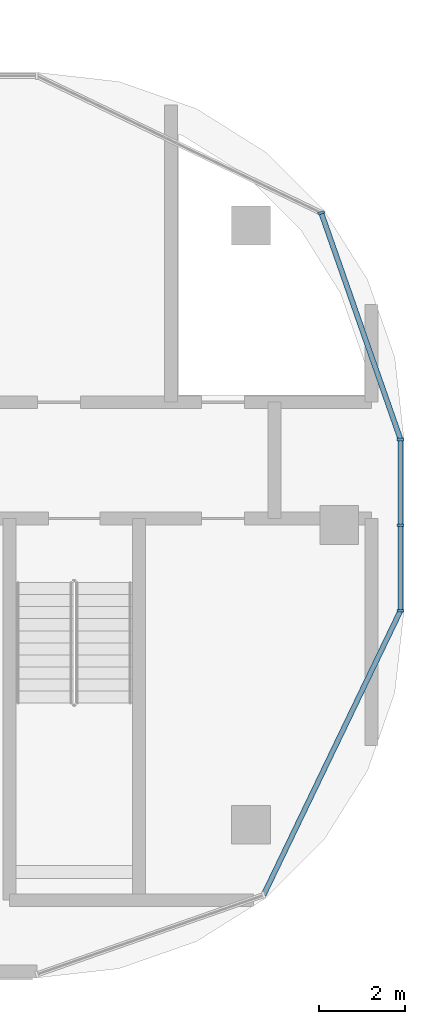
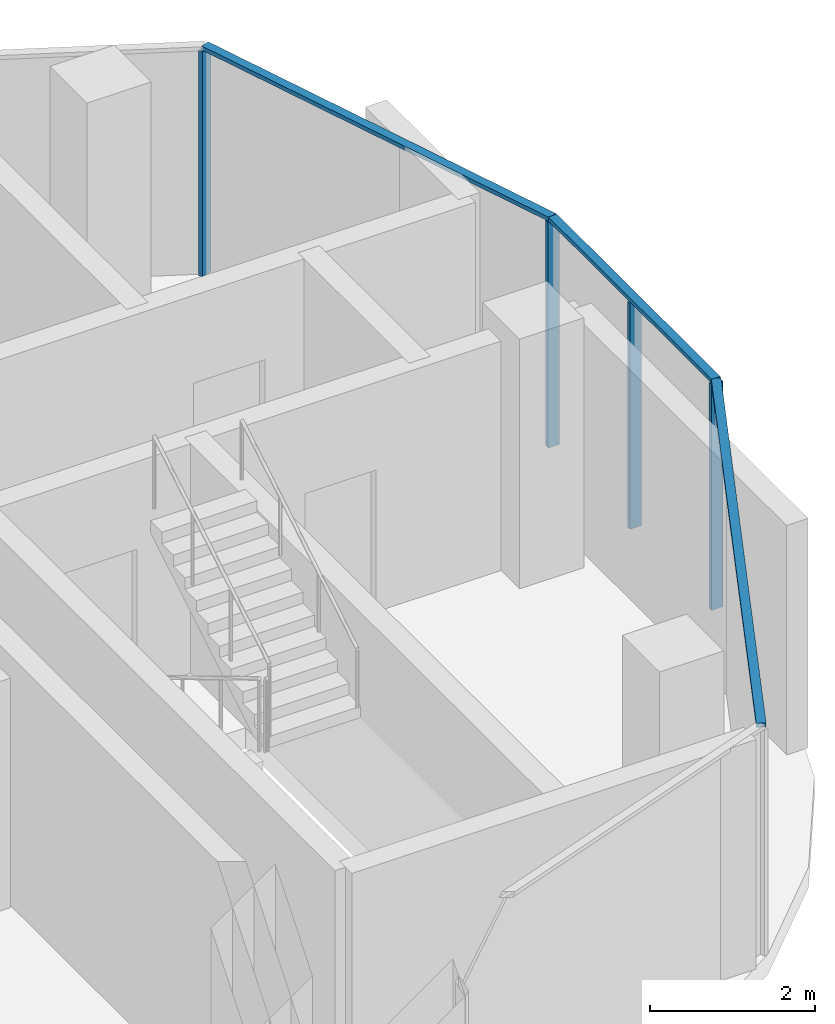
# One storey, part 7 of 19: 7 members, 3 elements without a shape of their own.
"""IFC4 building model written with IfcOpenShell, lengths in metres."""

import ifcopenshell
import ifcopenshell.guid

model = None  # the IFC model being written
_history = None  # IfcOwnerHistory: only IFC2X3 demands one
_inside = {}  # id of a spatial element -> (the spatial element, [elements in it])
_under = {}  # id of a project, library or spatial element -> (it, [spatial elements below it])
_declared = {}  # id of a project -> (the project, [libraries it declares])
_typed = {}  # id of a type object -> (the type object, [elements of that type])
_made_of = {}  # id of a material, layer set ... -> (it, [elements and type objects made of it])


def new_model(schema):
    """Start an empty IFC model of exactly this schema.

    Asked for "IFC4X3", IfcOpenShell would pick the latest addendum, in which some entities
    have other attributes; the version numbers below select the first issue.
    IFC2X3 requires an IfcOwnerHistory on every rooted entity: one is made here for all.
    """
    global model, _history
    if schema == "IFC4X3":
        model = ifcopenshell.file(schema_version=(4, 3, 0, 0))
    else:
        model = ifcopenshell.file(schema=schema)
    _inside.clear()
    _under.clear()
    _declared.clear()
    _typed.clear()
    _made_of.clear()
    _history = None
    if model.schema == "IFC2X3":
        org = make("IfcOrganization", Name="unknown")
        user = make(
            "IfcPersonAndOrganization",
            ThePerson=make("IfcPerson", FamilyName="unknown"),
            TheOrganization=org,
        )
        app = make(
            "IfcApplication",
            ApplicationDeveloper=org,
            Version="unknown",
            ApplicationFullName="unknown",
            ApplicationIdentifier="unknown",
        )
        _history = make(
            "IfcOwnerHistory",
            OwningUser=user,
            OwningApplication=app,
            ChangeAction="ADDED",
            CreationDate=0,
        )
    return model


def make(cls, **values):
    """One entity of the class cls with the attributes given. An attribute that is None is left unset."""
    return model.create_entity(
        cls, **{name: value for name, value in values.items() if value is not None}
    )


def rooted(cls, **values):
    """An entity with a GlobalId (a new one), such as an element, a storey or a relation."""
    return make(cls, GlobalId=ifcopenshell.guid.new(), OwnerHistory=_history, **values)


def si_unit(unit_type, name, prefix=None):
    """IfcSIUnit, for example si_unit("LENGTHUNIT", "METRE", prefix="MILLI")."""
    return make("IfcSIUnit", UnitType=unit_type, Prefix=prefix, Name=name)


def assignment(units):
    """IfcUnitAssignment: the units of a project."""
    return None if units is None else make("IfcUnitAssignment", Units=units)


def point(xyz):
    """IfcCartesianPoint."""
    return None if xyz is None else make("IfcCartesianPoint", Coordinates=xyz)


def direction(xyz):
    """IfcDirection."""
    return None if xyz is None else make("IfcDirection", DirectionRatios=xyz)


def frame(location, z_axis=None, x_axis=None):
    """IfcAxis2Placement3D, a coordinate frame: its origin and axes. An axis left out is left unset."""
    return make(
        "IfcAxis2Placement3D",
        Location=point(location),
        Axis=direction(z_axis),
        RefDirection=direction(x_axis),
    )


def frame_2d(location, x_axis=None):
    """IfcAxis2Placement2D, a coordinate frame in the plane: its origin and x axis."""
    return make(
        "IfcAxis2Placement2D", Location=point(location), RefDirection=direction(x_axis)
    )


def origin():
    """The frame at (0, 0, 0) with its axes left unset."""
    return frame((0.0, 0.0, 0.0))


def origin_2d():
    """The frame at (0, 0) in the plane with its x axis left unset."""
    return frame_2d((0.0, 0.0))


def place(relative_to, where):
    """IfcLocalPlacement: puts the frame where relative to a parent placement (None: the world)."""
    return make(
        "IfcLocalPlacement", PlacementRelTo=relative_to, RelativePlacement=where
    )


def context(
    kind, dimensions, precision=None, world=None, true_north=None, identifier=None
):
    """IfcGeometricRepresentationContext, for example the 3D "Model" context."""
    return make(
        "IfcGeometricRepresentationContext",
        ContextIdentifier=identifier,
        ContextType=kind,
        CoordinateSpaceDimension=dimensions,
        Precision=precision,
        WorldCoordinateSystem=world,
        TrueNorth=true_north,
    )


def subcontext(parent, identifier, kind, view, scale=None):
    """IfcGeometricRepresentationSubContext, for example "Body" below "Model"."""
    return make(
        "IfcGeometricRepresentationSubContext",
        ContextIdentifier=identifier,
        ContextType=kind,
        ParentContext=parent,
        TargetScale=scale,
        TargetView=view,
    )


def project(units=None, contexts=None):
    """IfcProject with its units and contexts."""
    return rooted(
        "IfcProject",
        Name="project",
        RepresentationContexts=contexts,
        UnitsInContext=assignment(units),
    )


def spatial(cls, under=None, at=None, **own):
    """A site, building, storey or space (cls), placed at a placement, below another one or the project."""
    s = rooted(cls, ObjectPlacement=at, **own)
    if under is not None:
        _under.setdefault(under.id(), (under, []))[1].append(s)
    return s


def profile(cls, at=None, kind="AREA", **sizes):
    """A parametric profile (cls). Its sizes go by their IFC names, for example OverallWidth=200.0."""
    return make(cls, ProfileType=kind, Position=at, **sizes)


def rectangle(**sizes):
    """IfcRectangleProfileDef."""
    return profile("IfcRectangleProfileDef", **sizes)


def extrude(swept, where, along, depth):
    """IfcExtrudedAreaSolid: the profile swept, set in the frame where, extruded along a direction by depth."""
    return make(
        "IfcExtrudedAreaSolid",
        SweptArea=swept,
        Position=where,
        ExtrudedDirection=direction(along),
        Depth=depth,
    )


def shape(context_of_items, identifier, shape_type, items):
    """IfcShapeRepresentation: the items that make up one representation, for example the "Body"."""
    return make(
        "IfcShapeRepresentation",
        ContextOfItems=context_of_items,
        RepresentationIdentifier=identifier,
        RepresentationType=shape_type,
        Items=items,
    )


def material(Name=None, Category=None):
    """IfcMaterial."""
    return make("IfcMaterial", Name=Name, Category=Category)


def material_profile(
    of_material, cross_section, Name=None, Category=None, Priority=None
):
    """IfcMaterialProfile: a cross section and its material."""
    return make(
        "IfcMaterialProfile",
        Name=Name,
        Material=of_material,
        Profile=cross_section,
        Priority=Priority,
        Category=Category,
    )


def profile_set(profiles, Name=None, composite=None):
    """IfcMaterialProfileSet."""
    return make(
        "IfcMaterialProfileSet",
        Name=Name,
        MaterialProfiles=profiles,
        CompositeProfile=composite,
    )


def made_of(thing, what):
    """Note that an element or type object is made of a material, layer set ...; save() writes the relation."""
    if what is not None:
        _made_of.setdefault(what.id(), (what, []))[1].append(thing)
    return thing


def type_object(cls, material=None, **own):
    """A type object (cls), such as IfcWallType, which elements share."""
    return made_of(rooted(cls, **own), material)


def element(
    cls,
    number,
    at=None,
    inside=None,
    cuts=None,
    type_object=None,
    material=None,
    context=None,
    identifier="Body",
    shape_type=None,
    held_by="IfcProductDefinitionShape",
    body=None,
    shapes=None,
    **own,
):
    """One element of the class cls, such as IfcWall. Its Tag is "e" and its number.

    at: its placement. inside: the storey or other place that contains it. cuts: it is an
    opening in that element (IfcRelVoidsElement). A single representation is given by context,
    identifier, shape_type and body (its items); several are given by shapes. held_by: the class
    of the entity that holds the representations. save() writes the other relations.
    """
    e = rooted(cls, Tag="e%d" % number, ObjectPlacement=at, **own)
    if body is not None:
        shapes = [shape(context, identifier, shape_type, body)]
    if shapes is not None:
        e.Representation = make(held_by, Representations=shapes)
    if inside is not None:
        _inside.setdefault(inside.id(), (inside, []))[1].append(e)
    if cuts is not None:
        rooted(
            "IfcRelVoidsElement", RelatingBuildingElement=cuts, RelatedOpeningElement=e
        )
    if type_object is not None:
        _typed.setdefault(type_object.id(), (type_object, []))[1].append(e)
    return made_of(e, material)


def aggregate(whole, parts):
    """IfcRelAggregates: a whole, such as a stair, and the parts it consists of."""
    return rooted("IfcRelAggregates", RelatingObject=whole, RelatedObjects=parts)


def save(model, path):
    """Write the relations noted so far, then the file.

    IfcRelAggregates (storeys below a building ...), IfcRelContainedInSpatialStructure (elements
    in a storey), IfcRelDefinesByType, IfcRelAssociatesMaterial and IfcRelDeclares: one each for
    every whole, place, type object, material and project.
    """
    for whole, parts in _under.values():
        aggregate(whole, parts)
    for where, things in _inside.values():
        rooted(
            "IfcRelContainedInSpatialStructure",
            RelatedElements=things,
            RelatingStructure=where,
        )
    for kind, things in _typed.values():
        rooted("IfcRelDefinesByType", RelatedObjects=things, RelatingType=kind)
    for what, things in _made_of.values():
        rooted("IfcRelAssociatesMaterial", RelatedObjects=things, RelatingMaterial=what)
    for by, libraries in _declared.values():
        rooted("IfcRelDeclares", RelatingContext=by, RelatedDefinitions=libraries)
    model.write(path)


model = new_model("IFC4")

# Units and contexts
model_context = context("Model", 3, precision=1e-05, world=origin(), true_north=direction((0.0, 1.0)))
body_context = subcontext(model_context, "Body", "Model", "MODEL_VIEW")
ifc_project = project(units=[si_unit("LENGTHUNIT", "METRE"), si_unit("AREAUNIT", "SQUARE_METRE"), si_unit("VOLUMEUNIT", "CUBIC_METRE"), si_unit("PLANEANGLEUNIT", "RADIAN"), si_unit("MASSUNIT", "GRAM", prefix="KILO")], contexts=[model_context])

# Site, building, storey
site_placement = place(None, origin())
site = spatial("IfcSite", under=ifc_project, at=site_placement, CompositionType="ELEMENT")
building_placement = place(site_placement, origin())
building = spatial("IfcBuilding", under=site, at=building_placement, Name="Ogive Portal Towers", CompositionType="ELEMENT")
storey_placement = place(building_placement, frame((0.0, 0.0, 229.10009765625)))
storey = spatial("IfcBuildingStorey", under=building, at=storey_placement, Name="L57", CompositionType="ELEMENT", Elevation=229.10009765625)

# Curtain wall, members
ifc_material_1 = material(Name="Glass, clear low-iron insulated glazing", Category="glass")
curtain_wall_type = type_object("IfcCurtainWallType", Name="CW FRONT RIBBON 4500", PredefinedType="NOTDEFINED", material=ifc_material_1)
curtain_wall_1_placement = place(storey_placement, origin())
curtain_wall_1 = element("IfcCurtainWall", 1, at=curtain_wall_1_placement, inside=storey, type_object=curtain_wall_type, Name="A:L57:f09:cw0", PredefinedType="NOTDEFINED")
ifc_material_2 = material(Name="Aluminium 6063 anodised", Category="aluminium")
ifc_material_profile_1 = material_profile(ifc_material_2, rectangle(XDim=0.159912109375, YDim=0.06005859375, at=origin_2d()), Name="AL 60x160")
ifc_profile_set_1 = profile_set([ifc_material_profile_1], Name="Aluminium 6063 anodised")
member_type_1 = type_object("IfcMemberType", Name="CW MULLION 60x160", PredefinedType="MULLION", material=ifc_profile_set_1)
member_1_placement = place(storey_placement, frame((95.919921875, 28.518310546875, 0.0), z_axis=(0.0, 0.0, 1.0), x_axis=(-1.0, 0.0, 0.0)))
member_1 = element("IfcMember", 2, at=member_1_placement, type_object=member_type_1, Name="mullion", PredefinedType="MULLION", context=body_context, shape_type="SweptSolid", body=[
    extrude(rectangle(XDim=0.159912109375, YDim=0.06005859375, at=origin_2d()), origin(), (0.0, 0.0, 1.0), 3.33984375),
])
member_2_placement = place(storey_placement, frame((95.919921875, 30.5, 0.0), z_axis=(0.0, 0.0, 1.0), x_axis=(-1.0, 0.0, 0.0)))
member_2 = element("IfcMember", 3, at=member_2_placement, type_object=member_type_1, Name="mullion", PredefinedType="MULLION", context=body_context, shape_type="SweptSolid", body=[
    extrude(rectangle(XDim=0.159912109375, YDim=0.06005859375, at=origin_2d()), origin(), (0.0, 0.0, 1.0), 3.33984375),
])
member_3_placement = place(storey_placement, frame((95.919921875, 32.486328125, 0.0), z_axis=(0.0, 0.0, 1.0), x_axis=(-1.0, 0.0, 0.0)))
member_3 = element("IfcMember", 4, at=member_3_placement, type_object=member_type_1, Name="mullion", PredefinedType="MULLION", context=body_context, shape_type="SweptSolid", body=[
    extrude(rectangle(XDim=0.159912109375, YDim=0.06005859375, at=origin_2d()), origin(), (0.0, 0.0, 1.0), 3.33984375),
])

# Curtain wall, member
curtain_wall_2_placement = place(storey_placement, origin())
curtain_wall_2 = element("IfcCurtainWall", 5, at=curtain_wall_2_placement, inside=storey, type_object=curtain_wall_type, Name="A:L57:f10:cwa", PredefinedType="NOTDEFINED")
member_4_placement = place(storey_placement, frame((94.0810546875, 37.741943359375, 0.0), z_axis=(0.0, 0.0, 1.0), x_axis=(-0.943883330307, -0.33027906196, 0.0)))
member_4 = element("IfcMember", 6, at=member_4_placement, type_object=member_type_1, Name="mullion", PredefinedType="MULLION", context=body_context, shape_type="SweptSolid", body=[
    extrude(rectangle(XDim=0.159912109375, YDim=0.06005859375, at=origin_2d()), origin(), (0.0, 0.0, 1.0), 3.33984375),
])

# Member
ifc_material_profile_2 = material_profile(ifc_material_2, rectangle(XDim=0.1201171875, YDim=0.06005859375, at=origin_2d()), Name="AL 120x60")
ifc_profile_set_2 = profile_set([ifc_material_profile_2], Name="Aluminium 6063 anodised")
member_type_2 = type_object("IfcMemberType", Name="CW TRANSOM 60x120", PredefinedType="USERDEFINED", material=ifc_profile_set_2)
member_5_placement = place(storey_placement, frame((95.919921875, 28.518310546875, 3.369873046875), z_axis=(0.0, 1.0, 0.0), x_axis=(-1.0, 0.0, 0.0)))
member_5 = element("IfcMember", 7, at=member_5_placement, type_object=member_type_2, Name="transom", ObjectType="TRANSOM", PredefinedType="USERDEFINED", context=body_context, shape_type="SweptSolid", body=[
    extrude(rectangle(XDim=0.1201171875, YDim=0.06005859375, at=origin_2d()), origin(), (0.0, 0.0, 1.0), 3.968017578125),
])

aggregate(curtain_wall_1, [member_5, member_1, member_2, member_3])

# Curtain wall, member
curtain_wall_3_placement = place(storey_placement, origin())
curtain_wall_3 = element("IfcCurtainWall", 8, at=curtain_wall_3_placement, inside=storey, type_object=curtain_wall_type, Name="A:L57:f07:cwa", PredefinedType="NOTDEFINED")
member_6_placement = place(storey_placement, frame((92.741943359375, 21.9189453125, 3.369873046875), z_axis=(0.433871738997, 0.900974646757, 0.0), x_axis=(-0.900974646757, 0.433871738997, 0.0)))
member_6 = element("IfcMember", 9, at=member_6_placement, type_object=member_type_2, Name="transom", ObjectType="TRANSOM", PredefinedType="USERDEFINED", context=body_context, shape_type="SweptSolid", body=[
    extrude(rectangle(XDim=0.1201171875, YDim=0.06005859375, at=origin_2d()), origin(), (0.0, 0.0, 1.0), 7.32470703125),
])
aggregate(curtain_wall_3, [member_6])

# Member
member_7_placement = place(storey_placement, frame((95.919921875, 32.486328125, 3.369873046875), z_axis=(-0.330254721593, 0.943891847017, 0.0), x_axis=(-0.943891847017, -0.330254721593, 0.0)))
member_7 = element("IfcMember", 10, at=member_7_placement, type_object=member_type_2, Name="transom", ObjectType="TRANSOM", PredefinedType="USERDEFINED", context=body_context, shape_type="SweptSolid", body=[
    extrude(rectangle(XDim=0.1201171875, YDim=0.06005859375, at=origin_2d()), origin(), (0.0, 0.0, 1.0), 5.568115234375),
])

aggregate(curtain_wall_2, [member_7, member_4])

save(model, "model.ifc")
